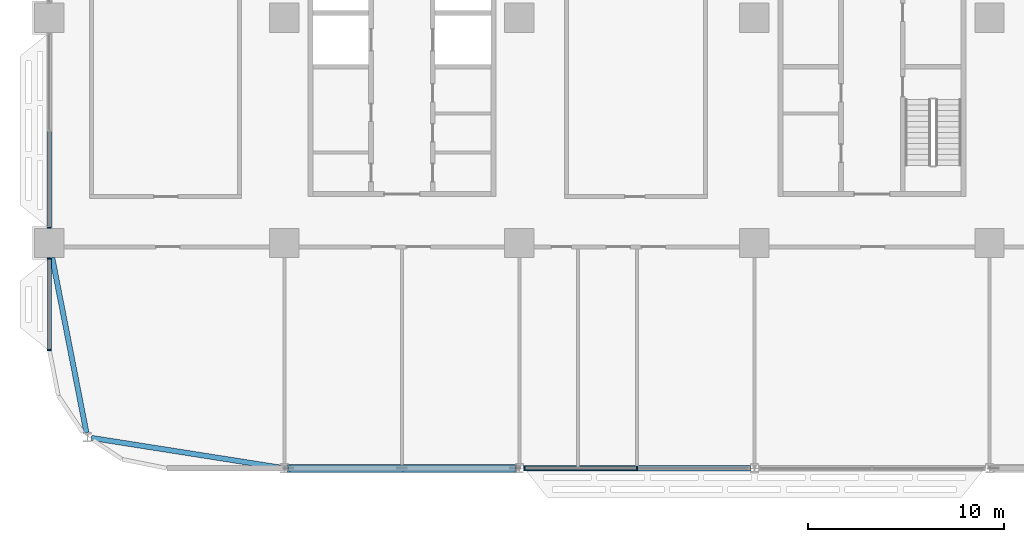
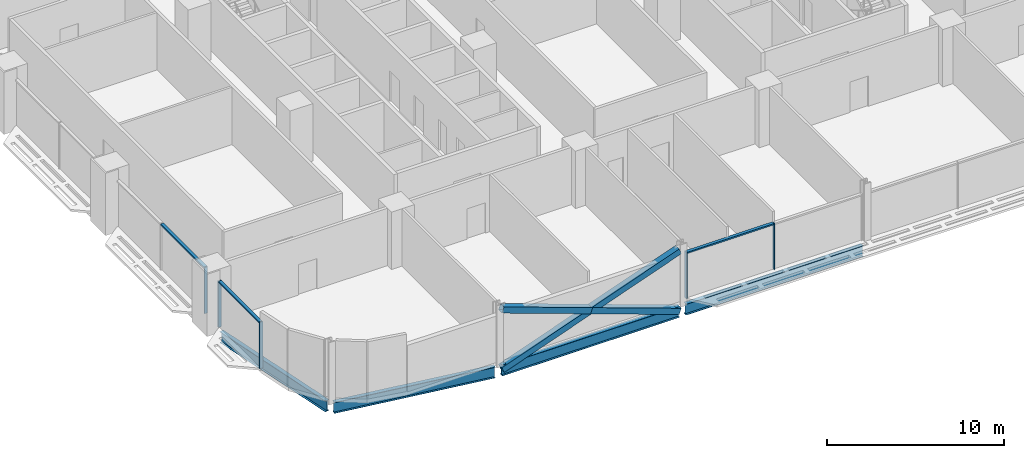
# One storey, part 3 of 29: 11 members, 4 beams, 3 elements without a shape of their own.
"""IFC4 building model written with IfcOpenShell, lengths in metres."""

from ifc_helpers import new_model, si_unit, direction, frame, origin, origin_2d, place, context, subcontext, project, spatial, rectangle, hollow_rectangle, i_section, extrude, material, material_profile, profile_set, type_object, element, aggregate, save


model = new_model("IFC4")

# Units and contexts
model_context = context("Model", 3, precision=1e-05, world=origin(), true_north=direction((0.0, 1.0)))
body_context = subcontext(model_context, "Body", "Model", "MODEL_VIEW")
ifc_project = project(units=[si_unit("LENGTHUNIT", "METRE"), si_unit("AREAUNIT", "SQUARE_METRE"), si_unit("VOLUMEUNIT", "CUBIC_METRE"), si_unit("PLANEANGLEUNIT", "RADIAN"), si_unit("MASSUNIT", "GRAM", prefix="KILO")], contexts=[model_context])

# Site, building, storey
site_placement = place(None, origin())
site = spatial("IfcSite", under=ifc_project, at=site_placement, CompositionType="ELEMENT")
building_placement = place(site_placement, origin())
building = spatial("IfcBuilding", under=site, at=building_placement, Name="Mahtab Terrace Research Tower", CompositionType="ELEMENT")
storey_placement = place(building_placement, frame((0.0, 0.0, 54.60009765625)))
storey = spatial("IfcBuildingStorey", under=building, at=storey_placement, Name="L12", CompositionType="ELEMENT", Elevation=54.60009765625)

# Members
ifc_material_1 = material(Name="Steel ASTM A500 Gr C", Category="steel")
ifc_material_profile_1 = material_profile(ifc_material_1, hollow_rectangle(XDim=0.406494140625, YDim=0.406494140625, WallThickness=0.01904296875, at=origin_2d()), Name="HSS16X16X3/4")
ifc_profile_set_1 = profile_set([ifc_material_profile_1], Name="Steel ASTM A500 Gr C")
member_type_1 = type_object("IfcMemberType", Name="HSS 16x16x3/4 brace XB161634", PredefinedType="BRACE", material=ifc_profile_set_1)
member_1_placement = place(storey_placement, frame((-29.787841796875, -23.0, -0.642578125), z_axis=(0.941386519928, 0.0, 0.337329838731), x_axis=(0.0, 1.0, 0.0)))
element("IfcMember", 1, at=member_1_placement, inside=storey, type_object=member_type_1, Name="Exoskeleton brace L12 14 a", PredefinedType="BRACE", context=body_context, shape_type="SweptSolid", body=[
    extrude(hollow_rectangle(XDim=0.406494140625, YDim=0.406494140625, WallThickness=0.01904296875, at=origin_2d()), origin(), (0.0, 0.0, 1.0), 12.29638671875),
])
for number, where, z_axis, x_axis, name in (
    (2, (-18.212158203125, -23.0, -0.642578125), (-0.941386519928, 0.0, 0.337329838731), (0.0, -1.0, 0.0), "Exoskeleton brace L12 14 b1"),
    (3, (-24.0, -23.0, 1.431396484375), (-0.941386519928, 0.0, 0.337329838731), (0.0, -1.0, 0.0), "Exoskeleton brace L12 14 b2"),
):
    element("IfcMember", number, at=place(storey_placement, frame(where, z_axis=z_axis, x_axis=x_axis)), inside=storey, type_object=member_type_1, Name=name, PredefinedType="BRACE", context=body_context, shape_type="SweptSolid", body=[
        extrude(hollow_rectangle(XDim=0.406494140625, YDim=0.406494140625, WallThickness=0.01904296875, at=origin_2d()), origin(), (0.0, 0.0, 1.0), 6.148193359375),
    ])

# Curtain wall, member
ifc_material_2 = material(Name="Laboratory ribbon curtain wall")
curtain_wall_type = type_object("IfcCurtainWallType", Name="Laboratory ribbon curtain wall", PredefinedType="NOTDEFINED", material=ifc_material_2)
curtain_wall_1_placement = place(storey_placement, origin())
curtain_wall_1 = element("IfcCurtainWall", 4, at=curtain_wall_1_placement, inside=storey, type_object=curtain_wall_type, Name="EN.L12.8.17", PredefinedType="NOTDEFINED")
ifc_material_3 = material(Name="Natural anodised aluminium", Category="aluminium")
ifc_material_profile_2 = material_profile(ifc_material_3, rectangle(XDim=0.199951171875, YDim=0.06494140625, at=origin_2d()), Name="MULLION 65x200")
ifc_profile_set_2 = profile_set([ifc_material_profile_2], Name="Natural anodised aluminium")
member_type_2 = type_object("IfcMemberType", Name="Laboratory ribbon curtain wall mullion", PredefinedType="MULLION", material=ifc_profile_set_2)
member_2_placement = place(storey_placement, frame((-42.0, -10.717529296875, 0.0), z_axis=(0.0, 0.0, 1.0), x_axis=(1.0, 0.0, 0.0)))
member_2 = element("IfcMember", 5, at=member_2_placement, type_object=member_type_2, Name="CWL-2 mullion 3", PredefinedType="MULLION", context=body_context, shape_type="SweptSolid", body=[
    extrude(rectangle(XDim=0.199951171875, YDim=0.06494140625, at=origin_2d()), origin(), (0.0, 0.0, 1.0), 3.202880859375),
])

# Curtain wall, members
curtain_wall_2_placement = place(storey_placement, origin())
curtain_wall_2 = element("IfcCurtainWall", 6, at=curtain_wall_2_placement, inside=storey, type_object=curtain_wall_type, Name="EN.L12.8.18", PredefinedType="NOTDEFINED")
member_3_placement = place(storey_placement, frame((-42.0, -12.282470703125, 0.0), z_axis=(0.0, 0.0, 1.0), x_axis=(1.0, 0.0, 0.0)))
member_3 = element("IfcMember", 7, at=member_3_placement, type_object=member_type_2, Name="CWL-2 mullion 1", PredefinedType="MULLION", context=body_context, shape_type="SweptSolid", body=[
    extrude(rectangle(XDim=0.199951171875, YDim=0.06494140625, at=origin_2d()), origin(), (0.0, 0.0, 1.0), 3.202880859375),
])
member_4_placement = place(storey_placement, frame((-42.0, -16.967529296875, 0.0), z_axis=(0.0, 0.0, 1.0), x_axis=(1.0, 0.0, 0.0)))
member_4 = element("IfcMember", 8, at=member_4_placement, type_object=member_type_2, Name="CWL-2 mullion 2", PredefinedType="MULLION", context=body_context, shape_type="SweptSolid", body=[
    extrude(rectangle(XDim=0.199951171875, YDim=0.06494140625, at=origin_2d()), origin(), (0.0, 0.0, 1.0), 3.202880859375),
])

curtain_wall_3_placement = place(storey_placement, origin())
curtain_wall_3 = element("IfcCurtainWall", 9, at=curtain_wall_3_placement, inside=storey, type_object=curtain_wall_type, Name="EN.L12.13.25", PredefinedType="NOTDEFINED")
member_5_placement = place(storey_placement, frame((-17.7294921875, -23.0, 0.0), z_axis=(0.0, 0.0, 1.0), x_axis=(0.0, 1.0, 0.0)))
member_5 = element("IfcMember", 10, at=member_5_placement, type_object=member_type_2, Name="CWL-2 mullion 1", PredefinedType="MULLION", context=body_context, shape_type="SweptSolid", body=[
    extrude(rectangle(XDim=0.199951171875, YDim=0.06494140625, at=origin_2d()), origin(), (0.0, 0.0, 1.0), 3.202880859375),
])
member_6_placement = place(storey_placement, frame((-12.0, -23.0, 0.0), z_axis=(0.0, 0.0, 1.0), x_axis=(0.0, 1.0, 0.0)))
member_6 = element("IfcMember", 11, at=member_6_placement, type_object=member_type_2, Name="CWL-2 mullion 2", PredefinedType="MULLION", context=body_context, shape_type="SweptSolid", body=[
    extrude(rectangle(XDim=0.199951171875, YDim=0.06494140625, at=origin_2d()), origin(), (0.0, 0.0, 1.0), 3.202880859375),
])

# Member
ifc_material_profile_3 = material_profile(ifc_material_3, rectangle(XDim=0.199951171875, YDim=0.10009765625, at=origin_2d()), Name="TRANSOM 100x200")
ifc_profile_set_3 = profile_set([ifc_material_profile_3], Name="Natural anodised aluminium")
member_type_3 = type_object("IfcMemberType", Name="Laboratory ribbon curtain wall transom", PredefinedType="USERDEFINED", material=ifc_profile_set_3)
member_7_placement = place(storey_placement, frame((-42.0, -5.782470703125, 3.153076171875), z_axis=(0.0, -1.0, 0.0), x_axis=(1.0, 0.0, 0.0)))
member_7 = element("IfcMember", 12, at=member_7_placement, type_object=member_type_3, Name="CWL-2 transom 2", ObjectType="TRANSOM", PredefinedType="USERDEFINED", context=body_context, shape_type="SweptSolid", body=[
    extrude(rectangle(XDim=0.199951171875, YDim=0.10009765625, at=origin_2d()), origin(), (0.0, 0.0, 1.0), 4.902587890625),
])

aggregate(curtain_wall_1, [member_2, member_7])

member_8_placement = place(storey_placement, frame((-42.0, -12.31494140625, 3.153076171875), z_axis=(0.0, -1.0, 0.0), x_axis=(1.0, 0.0, 0.0)))
member_8 = element("IfcMember", 13, at=member_8_placement, type_object=member_type_3, Name="CWL-2 transom 1", ObjectType="TRANSOM", PredefinedType="USERDEFINED", context=body_context, shape_type="SweptSolid", body=[
    extrude(rectangle(XDim=0.199951171875, YDim=0.10009765625, at=origin_2d()), origin(), (0.0, 0.0, 1.0), 4.6201171875),
])

aggregate(curtain_wall_2, [member_3, member_4, member_8])

member_9_placement = place(storey_placement, frame((-17.697021484375, -23.0, 3.153076171875), z_axis=(1.0, 0.0, 0.0), x_axis=(0.0, 1.0, 0.0)))
member_9 = element("IfcMember", 14, at=member_9_placement, type_object=member_type_3, Name="CWL-2 transom 1", ObjectType="TRANSOM", PredefinedType="USERDEFINED", context=body_context, shape_type="SweptSolid", body=[
    extrude(rectangle(XDim=0.199951171875, YDim=0.10009765625, at=origin_2d()), origin(), (0.0, 0.0, 1.0), 5.66455078125),
])

aggregate(curtain_wall_3, [member_5, member_6, member_9])

# Beams
ifc_material_4 = material(Name="Steel ASTM A992 Gr 50", Category="steel")
ifc_material_profile_4 = material_profile(ifc_material_4, i_section(OverallWidth=0.2666015625, OverallDepth=0.7568359375, WebThickness=0.013916015625, FlangeThickness=0.019287109375, at=origin_2d()), Name="W30X108")
ifc_profile_set_4 = profile_set([ifc_material_profile_4], Name="Steel ASTM A992 Gr 50")
beam_type = type_object("IfcBeamType", Name="W30x108 beam BS30108", PredefinedType="BEAM", material=ifc_profile_set_4)
beam_1_placement = place(storey_placement, frame((-41.853515625, -12.25, -0.718505859375), z_axis=(0.191825617976, -0.981429025599, 0.0), x_axis=(0.981429025599, 0.191825617976, 0.0)))
element("IfcBeam", 15, at=beam_1_placement, inside=storey, type_object=beam_type, Name="Spandrel beam L12 12", PredefinedType="BEAM", context=body_context, shape_type="SweptSolid", body=[
    extrude(i_section(OverallWidth=0.2666015625, OverallDepth=0.7568359375, WebThickness=0.013916015625, FlangeThickness=0.019287109375, at=origin_2d()), origin(), (0.0, 0.0, 1.0), 9.097412109375),
])
beam_2_placement = place(storey_placement, frame((-39.849853515625, -21.449462890625, -0.718505859375), z_axis=(0.987836303792, -0.155497385545, 0.0), x_axis=(0.155497385545, 0.987836303792, 0.0)))
element("IfcBeam", 16, at=beam_2_placement, inside=storey, type_object=beam_type, Name="Spandrel beam L12 13", PredefinedType="BEAM", context=body_context, shape_type="SweptSolid", body=[
    extrude(i_section(OverallWidth=0.2666015625, OverallDepth=0.7568359375, WebThickness=0.013916015625, FlangeThickness=0.019287109375, at=origin_2d()), origin(), (0.0, 0.0, 1.0), 9.75634765625),
])
for number, where, z_axis, x_axis, name in (
    (17, (-29.787841796875, -23.0, -0.718505859375), (1.0, 0.0, 0.0), (0.0, 1.0, 0.0), "Spandrel beam L12 14"),
    (18, (-17.787841796875, -23.0, -0.718505859375), (1.0, 0.0, 0.0), (0.0, 1.0, 0.0), "Spandrel beam L12 15"),
):
    element("IfcBeam", number, at=place(storey_placement, frame(where, z_axis=z_axis, x_axis=x_axis)), inside=storey, type_object=beam_type, Name=name, PredefinedType="BEAM", context=body_context, shape_type="SweptSolid", body=[
        extrude(i_section(OverallWidth=0.2666015625, OverallDepth=0.7568359375, WebThickness=0.013916015625, FlangeThickness=0.019287109375, at=origin_2d()), origin(), (0.0, 0.0, 1.0), 11.57568359375),
    ])

save(model, "model.ifc")
